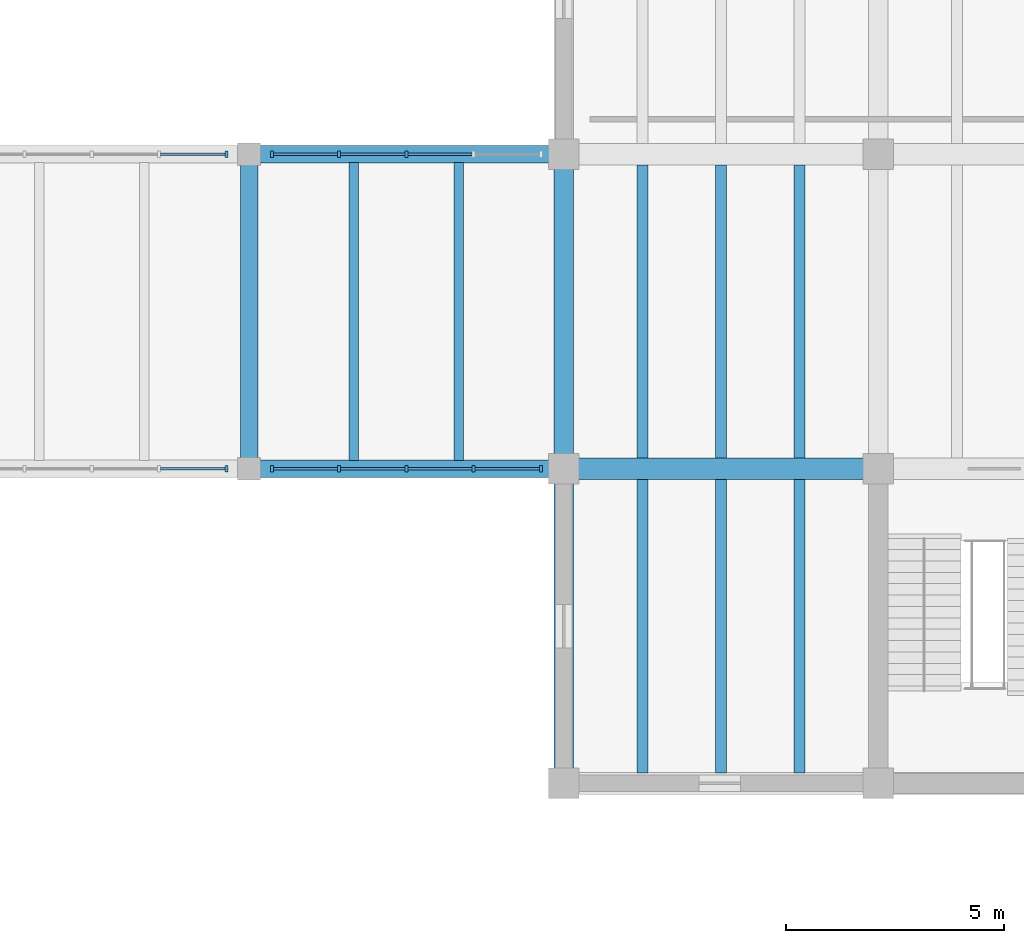
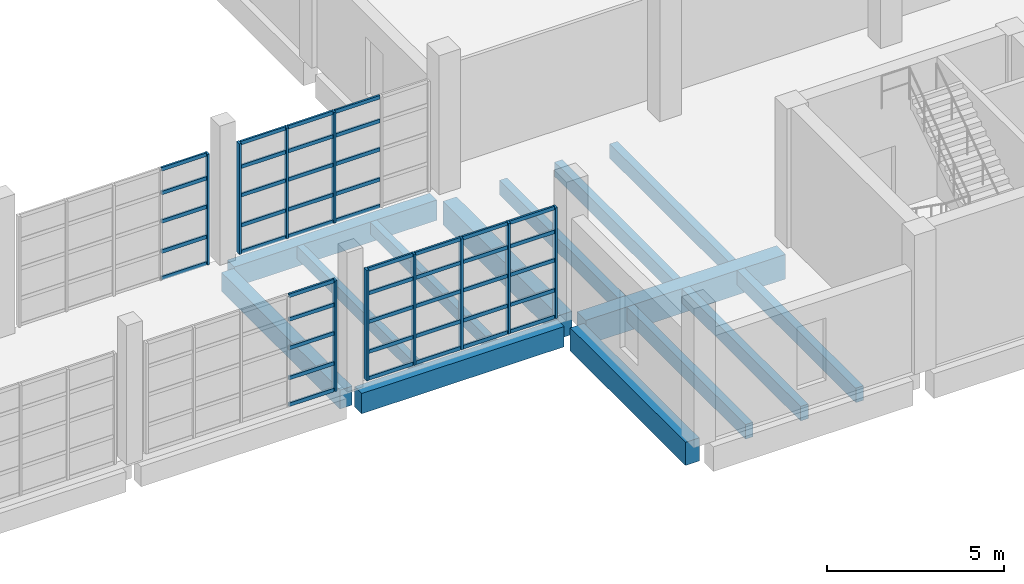
# One storey, part 42 of 77: 55 members, 14 beams, 4 elements without a shape of their own.
"""IFC4 building model written with IfcOpenShell, lengths in metres."""

from ifc_helpers import new_model, si_unit, direction, frame, origin, origin_2d, place, context, subcontext, project, spatial, rectangle, extrude, material, material_profile, profile_set, type_object, element, aggregate, save


model = new_model("IFC4")

# Units and contexts
model_context = context("Model", 3, precision=1e-05, world=origin(), true_north=direction((0.0, 1.0)))
body_context = subcontext(model_context, "Body", "Model", "MODEL_VIEW")
ifc_project = project(units=[si_unit("LENGTHUNIT", "METRE"), si_unit("AREAUNIT", "SQUARE_METRE"), si_unit("VOLUMEUNIT", "CUBIC_METRE"), si_unit("PLANEANGLEUNIT", "RADIAN"), si_unit("MASSUNIT", "GRAM", prefix="KILO")], contexts=[model_context])

# Site, building, storey
site_placement = place(None, origin())
site = spatial("IfcSite", under=ifc_project, at=site_placement, CompositionType="ELEMENT")
building_placement = place(site_placement, origin())
building = spatial("IfcBuilding", under=site, at=building_placement, Name="Qiaolan Assembly House", CompositionType="ELEMENT")
storey_placement = place(building_placement, frame((0.0, 0.0, 5.39990234375)))
storey = spatial("IfcBuildingStorey", under=building, at=storey_placement, Name="L01", CompositionType="ELEMENT", Elevation=5.39990234375)

# Beams
ifc_material_1 = material(Name="Concrete C40/50", Category="concrete")
ifc_material_profile_1 = material_profile(ifc_material_1, rectangle(XDim=0.39990234375, YDim=0.64990234375, at=origin_2d()), Name="RCB 400x650")
ifc_profile_set_1 = profile_set([ifc_material_profile_1], Name="Concrete C40/50")
beam_type_1 = type_object("IfcBeamType", Name="BM-RC-400x650", PredefinedType="BEAM", material=ifc_profile_set_1)
beam_1_placement = place(storey_placement, frame((129.60009765625, 36.25, -0.594970703125), z_axis=(0.0, 1.0, 0.0), x_axis=(-1.0, 0.0, 0.0)))
element("IfcBeam", 1, at=beam_1_placement, inside=storey, type_object=beam_type_1, Name="GB-06 beam BMY-CLS-L01-03-00", PredefinedType="BEAM", context=body_context, shape_type="SweptSolid", body=[
    extrude(rectangle(XDim=0.39990234375, YDim=0.64990234375, at=origin_2d()), origin(), (0.0, 0.0, 1.0), 6.699951171875),
])
ifc_material_profile_2 = material_profile(ifc_material_1, rectangle(XDim=0.39990234375, YDim=0.699951171875, at=origin_2d()), Name="RCB 400x700")
ifc_profile_set_2 = profile_set([ifc_material_profile_2], Name="Concrete C40/50")
beam_type_2 = type_object("IfcBeamType", Name="BM-RC-400x700", PredefinedType="BEAM", material=ifc_profile_set_2)
for number, where, z_axis, x_axis, name in (
    (2, (129.85009765625, 36.0, -0.619873046875), (1.0, 0.0, 0.0), (0.0, 1.0, 0.0), "GB-05 beam BMX-CLS-L01-03-00"),
    (3, (129.85009765625, 43.199951171875, -0.619873046875), (1.0, 0.0, 0.0), (0.0, 1.0, 0.0), "GB-05 beam BMX-CLS-L01-03-01"),
):
    element("IfcBeam", number, at=place(storey_placement, frame(where, z_axis=z_axis, x_axis=x_axis)), inside=storey, type_object=beam_type_2, Name=name, PredefinedType="BEAM", context=body_context, shape_type="SweptSolid", body=[
        extrude(rectangle(XDim=0.39990234375, YDim=0.699951171875, at=origin_2d()), origin(), (0.0, 0.0, 1.0), 6.60986328125),
    ])
ifc_material_profile_3 = material_profile(ifc_material_1, rectangle(XDim=0.449951171875, YDim=0.800048828125, at=origin_2d()), Name="RCB 450x800")
ifc_profile_set_3 = profile_set([ifc_material_profile_3], Name="Concrete C40/50")
beam_type_3 = type_object("IfcBeamType", Name="BM-RC-450x800", PredefinedType="BEAM", material=ifc_profile_set_3)
for number, where, z_axis, x_axis, name in (
    (4, (136.800048828125, 29.139892578125, -0.669921875), (0.0, 1.0, 0.0), (-1.0, 0.0, 0.0), "GB-03 beam BMY-LB-L01-00-00"),
    (5, (136.800048828125, 36.340087890625, -0.669921875), (0.0, 1.0, 0.0), (-1.0, 0.0, 0.0), "GB-03 beam BMY-LB-L01-00-01"),
):
    element("IfcBeam", number, at=place(storey_placement, frame(where, z_axis=z_axis, x_axis=x_axis)), inside=storey, type_object=beam_type_3, Name=name, PredefinedType="BEAM", context=body_context, shape_type="SweptSolid", body=[
        extrude(rectangle(XDim=0.449951171875, YDim=0.800048828125, at=origin_2d()), origin(), (0.0, 0.0, 1.0), 6.52001953125),
    ])
ifc_material_2 = material(Name="Concrete C45/55", Category="concrete")
ifc_material_profile_4 = material_profile(ifc_material_2, rectangle(XDim=0.5, YDim=0.85009765625, at=origin_2d()), Name="RCB 500x850")
ifc_profile_set_4 = profile_set([ifc_material_profile_4], Name="Concrete C45/55")
beam_type_4 = type_object("IfcBeamType", Name="BM-RC-500x850", PredefinedType="BEAM", material=ifc_profile_set_4)
beam_2_placement = place(storey_placement, frame((137.139892578125, 36.0, -0.69482421875), z_axis=(1.0, 0.0, 0.0), x_axis=(0.0, 1.0, 0.0)))
element("IfcBeam", 6, at=beam_2_placement, inside=storey, type_object=beam_type_4, Name="GB-02 beam BMX-LB-L01-00-01", PredefinedType="BEAM", context=body_context, shape_type="SweptSolid", body=[
    extrude(rectangle(XDim=0.5, YDim=0.85009765625, at=origin_2d()), origin(), (0.0, 0.0, 1.0), 6.52001953125),
])

# Curtain wall, member
ifc_material_3 = material(Name="Anodised bronze aluminium", Category="aluminium")
curtain_wall_type = type_object("IfcCurtainWallType", Name="CW-CLOISTER-420", PredefinedType="NOTDEFINED", material=ifc_material_3)
curtain_wall_1_placement = place(storey_placement, origin())
curtain_wall_1 = element("IfcCurtainWall", 7, at=curtain_wall_1_placement, inside=storey, type_object=curtain_wall_type, Name="CW-05 South Cloister outer arcade L01-3", PredefinedType="NOTDEFINED")
ifc_material_profile_5 = material_profile(ifc_material_3, rectangle(XDim=0.070068359375, YDim=0.155029296875, at=origin_2d()), Name="MUL 70x155")
ifc_profile_set_5 = profile_set([ifc_material_profile_5], Name="Anodised bronze aluminium")
member_type_1 = type_object("IfcMemberType", Name="CW-CLOISTER-420-MUL", PredefinedType="MULLION", material=ifc_profile_set_5)
member_1_placement = place(storey_placement, frame((129.080078125, 36.0, 0.0), z_axis=(0.0, 0.0, 1.0), x_axis=(1.0, 0.0, 0.0)))
member_1 = element("IfcMember", 8, at=member_1_placement, type_object=member_type_1, Name="ML-06 mullion CW-CLS-OUT-L01-2-5", PredefinedType="MULLION", context=body_context, shape_type="SweptSolid", body=[
    extrude(rectangle(XDim=0.070068359375, YDim=0.155029296875, at=origin_2d()), origin(), (0.0, 0.0, 1.0), 3.820068359375),
])

curtain_wall_2_placement = place(storey_placement, origin())
curtain_wall_2 = element("IfcCurtainWall", 9, at=curtain_wall_2_placement, inside=storey, type_object=curtain_wall_type, Name="CW-05 South Cloister court arcade L01-3", PredefinedType="NOTDEFINED")
member_2_placement = place(storey_placement, frame((129.080078125, 43.199951171875, 0.0), z_axis=(0.0, 0.0, 1.0), x_axis=(-1.0, 0.0, 0.0)))
member_2 = element("IfcMember", 10, at=member_2_placement, type_object=member_type_1, Name="ML-06 mullion CW-CLS-CRT-L01-2-1", PredefinedType="MULLION", context=body_context, shape_type="SweptSolid", body=[
    extrude(rectangle(XDim=0.070068359375, YDim=0.155029296875, at=origin_2d()), origin(), (0.0, 0.0, 1.0), 3.820068359375),
])

# Curtain wall, members
curtain_wall_3_placement = place(storey_placement, origin())
curtain_wall_3 = element("IfcCurtainWall", 11, at=curtain_wall_3_placement, inside=storey, type_object=curtain_wall_type, Name="CW-05 South Cloister outer arcade L01-4", PredefinedType="NOTDEFINED")
member_3_placement = place(storey_placement, frame((130.1201171875, 36.0, 0.0), z_axis=(0.0, 0.0, 1.0), x_axis=(1.0, 0.0, 0.0)))
member_3 = element("IfcMember", 12, at=member_3_placement, type_object=member_type_1, Name="ML-06 mullion CW-CLS-OUT-L01-3-1", PredefinedType="MULLION", context=body_context, shape_type="SweptSolid", body=[
    extrude(rectangle(XDim=0.070068359375, YDim=0.155029296875, at=origin_2d()), origin(), (0.0, 0.0, 1.0), 3.820068359375),
])
member_4_placement = place(storey_placement, frame((131.659912109375, 36.0, 0.0), z_axis=(0.0, 0.0, 1.0), x_axis=(1.0, 0.0, 0.0)))
member_4 = element("IfcMember", 13, at=member_4_placement, type_object=member_type_1, Name="ML-06 mullion CW-CLS-OUT-L01-3-2", PredefinedType="MULLION", context=body_context, shape_type="SweptSolid", body=[
    extrude(rectangle(XDim=0.070068359375, YDim=0.155029296875, at=origin_2d()), origin(), (0.0, 0.0, 1.0), 3.820068359375),
])
member_5_placement = place(storey_placement, frame((133.199951171875, 36.0, 0.0), z_axis=(0.0, 0.0, 1.0), x_axis=(1.0, 0.0, 0.0)))
member_5 = element("IfcMember", 14, at=member_5_placement, type_object=member_type_1, Name="ML-06 mullion CW-CLS-OUT-L01-3-3", PredefinedType="MULLION", context=body_context, shape_type="SweptSolid", body=[
    extrude(rectangle(XDim=0.070068359375, YDim=0.155029296875, at=origin_2d()), origin(), (0.0, 0.0, 1.0), 3.820068359375),
])
member_6_placement = place(storey_placement, frame((134.739990234375, 36.0, 0.0), z_axis=(0.0, 0.0, 1.0), x_axis=(1.0, 0.0, 0.0)))
member_6 = element("IfcMember", 15, at=member_6_placement, type_object=member_type_1, Name="ML-06 mullion CW-CLS-OUT-L01-3-4", PredefinedType="MULLION", context=body_context, shape_type="SweptSolid", body=[
    extrude(rectangle(XDim=0.070068359375, YDim=0.155029296875, at=origin_2d()), origin(), (0.0, 0.0, 1.0), 3.820068359375),
])
member_7_placement = place(storey_placement, frame((136.280029296875, 36.0, 0.0), z_axis=(0.0, 0.0, 1.0), x_axis=(1.0, 0.0, 0.0)))
member_7 = element("IfcMember", 16, at=member_7_placement, type_object=member_type_1, Name="ML-06 mullion CW-CLS-OUT-L01-3-5", PredefinedType="MULLION", context=body_context, shape_type="SweptSolid", body=[
    extrude(rectangle(XDim=0.070068359375, YDim=0.155029296875, at=origin_2d()), origin(), (0.0, 0.0, 1.0), 3.820068359375),
])

curtain_wall_4_placement = place(storey_placement, origin())
curtain_wall_4 = element("IfcCurtainWall", 17, at=curtain_wall_4_placement, inside=storey, type_object=curtain_wall_type, Name="CW-05 South Cloister court arcade L01-4", PredefinedType="NOTDEFINED")
member_8_placement = place(storey_placement, frame((133.199951171875, 43.199951171875, 0.0), z_axis=(0.0, 0.0, 1.0), x_axis=(-1.0, 0.0, 0.0)))
member_8 = element("IfcMember", 18, at=member_8_placement, type_object=member_type_1, Name="ML-06 mullion CW-CLS-CRT-L01-3-3", PredefinedType="MULLION", context=body_context, shape_type="SweptSolid", body=[
    extrude(rectangle(XDim=0.070068359375, YDim=0.155029296875, at=origin_2d()), origin(), (0.0, 0.0, 1.0), 3.820068359375),
])
member_9_placement = place(storey_placement, frame((131.659912109375, 43.199951171875, 0.0), z_axis=(0.0, 0.0, 1.0), x_axis=(-1.0, 0.0, 0.0)))
member_9 = element("IfcMember", 19, at=member_9_placement, type_object=member_type_1, Name="ML-06 mullion CW-CLS-CRT-L01-3-4", PredefinedType="MULLION", context=body_context, shape_type="SweptSolid", body=[
    extrude(rectangle(XDim=0.070068359375, YDim=0.155029296875, at=origin_2d()), origin(), (0.0, 0.0, 1.0), 3.820068359375),
])
member_10_placement = place(storey_placement, frame((130.1201171875, 43.199951171875, 0.0), z_axis=(0.0, 0.0, 1.0), x_axis=(-1.0, 0.0, 0.0)))
member_10 = element("IfcMember", 20, at=member_10_placement, type_object=member_type_1, Name="ML-06 mullion CW-CLS-CRT-L01-3-5", PredefinedType="MULLION", context=body_context, shape_type="SweptSolid", body=[
    extrude(rectangle(XDim=0.070068359375, YDim=0.155029296875, at=origin_2d()), origin(), (0.0, 0.0, 1.0), 3.820068359375),
])

# Member
ifc_material_profile_6 = material_profile(ifc_material_3, rectangle(XDim=0.06201171875, YDim=0.125, at=origin_2d()), Name="TRN 62x125")
ifc_profile_set_6 = profile_set([ifc_material_profile_6], Name="Anodised bronze aluminium")
member_type_2 = type_object("IfcMemberType", Name="CW-CLOISTER-420-TRN", PredefinedType="USERDEFINED", material=ifc_profile_set_6)
member_11_placement = place(storey_placement, frame((127.574951171875, 36.0, 0.030029296875), z_axis=(1.0, 0.0, 0.0), x_axis=(0.0, 1.0, 0.0)))
member_11 = element("IfcMember", 21, at=member_11_placement, type_object=member_type_2, Name="TR-06 transom CW-CLS-OUT-L01-2-4-1", ObjectType="TRANSOM", PredefinedType="USERDEFINED", context=body_context, shape_type="SweptSolid", body=[
    extrude(rectangle(XDim=0.06201171875, YDim=0.125, at=origin_2d()), origin(), (0.0, 0.0, 1.0), 1.469970703125),
])

member_12_placement = place(storey_placement, frame((127.574951171875, 36.0, 0.9501953125), z_axis=(1.0, 0.0, 0.0), x_axis=(0.0, 1.0, 0.0)))
member_12 = element("IfcMember", 22, at=member_12_placement, type_object=member_type_2, Name="TR-06 transom CW-CLS-OUT-L01-2-4-2", ObjectType="TRANSOM", PredefinedType="USERDEFINED", context=body_context, shape_type="SweptSolid", body=[
    extrude(rectangle(XDim=0.06201171875, YDim=0.125, at=origin_2d()), origin(), (0.0, 0.0, 1.0), 1.469970703125),
])

member_13_placement = place(storey_placement, frame((127.574951171875, 36.0, 1.986572265625), z_axis=(1.0, 0.0, 0.0), x_axis=(0.0, 1.0, 0.0)))
member_13 = element("IfcMember", 23, at=member_13_placement, type_object=member_type_2, Name="TR-06 transom CW-CLS-OUT-L01-2-4-3", ObjectType="TRANSOM", PredefinedType="USERDEFINED", context=body_context, shape_type="SweptSolid", body=[
    extrude(rectangle(XDim=0.06201171875, YDim=0.125, at=origin_2d()), origin(), (0.0, 0.0, 1.0), 1.469970703125),
])

member_14_placement = place(storey_placement, frame((127.574951171875, 36.0, 2.97021484375), z_axis=(1.0, 0.0, 0.0), x_axis=(0.0, 1.0, 0.0)))
member_14 = element("IfcMember", 24, at=member_14_placement, type_object=member_type_2, Name="TR-06 transom CW-CLS-OUT-L01-2-4-4", ObjectType="TRANSOM", PredefinedType="USERDEFINED", context=body_context, shape_type="SweptSolid", body=[
    extrude(rectangle(XDim=0.06201171875, YDim=0.125, at=origin_2d()), origin(), (0.0, 0.0, 1.0), 1.469970703125),
])

member_15_placement = place(storey_placement, frame((127.574951171875, 36.0, 3.7900390625), z_axis=(1.0, 0.0, 0.0), x_axis=(0.0, 1.0, 0.0)))
member_15 = element("IfcMember", 25, at=member_15_placement, type_object=member_type_2, Name="TR-06 transom CW-CLS-OUT-L01-2-4-5", ObjectType="TRANSOM", PredefinedType="USERDEFINED", context=body_context, shape_type="SweptSolid", body=[
    extrude(rectangle(XDim=0.06201171875, YDim=0.125, at=origin_2d()), origin(), (0.0, 0.0, 1.0), 1.469970703125),
])

aggregate(curtain_wall_1, [member_1, member_11, member_12, member_13, member_14, member_15])

member_16_placement = place(storey_placement, frame((129.044921875, 43.199951171875, 0.030029296875), z_axis=(-1.0, 0.0, 0.0), x_axis=(0.0, -1.0, 0.0)))
member_16 = element("IfcMember", 26, at=member_16_placement, type_object=member_type_2, Name="TR-06 transom CW-CLS-CRT-L01-2-1-1", ObjectType="TRANSOM", PredefinedType="USERDEFINED", context=body_context, shape_type="SweptSolid", body=[
    extrude(rectangle(XDim=0.06201171875, YDim=0.125, at=origin_2d()), origin(), (0.0, 0.0, 1.0), 1.469970703125),
])

member_17_placement = place(storey_placement, frame((129.044921875, 43.199951171875, 0.9501953125), z_axis=(-1.0, 0.0, 0.0), x_axis=(0.0, -1.0, 0.0)))
member_17 = element("IfcMember", 27, at=member_17_placement, type_object=member_type_2, Name="TR-06 transom CW-CLS-CRT-L01-2-1-2", ObjectType="TRANSOM", PredefinedType="USERDEFINED", context=body_context, shape_type="SweptSolid", body=[
    extrude(rectangle(XDim=0.06201171875, YDim=0.125, at=origin_2d()), origin(), (0.0, 0.0, 1.0), 1.469970703125),
])

member_18_placement = place(storey_placement, frame((129.044921875, 43.199951171875, 1.986572265625), z_axis=(-1.0, 0.0, 0.0), x_axis=(0.0, -1.0, 0.0)))
member_18 = element("IfcMember", 28, at=member_18_placement, type_object=member_type_2, Name="TR-06 transom CW-CLS-CRT-L01-2-1-3", ObjectType="TRANSOM", PredefinedType="USERDEFINED", context=body_context, shape_type="SweptSolid", body=[
    extrude(rectangle(XDim=0.06201171875, YDim=0.125, at=origin_2d()), origin(), (0.0, 0.0, 1.0), 1.469970703125),
])

member_19_placement = place(storey_placement, frame((129.044921875, 43.199951171875, 2.97021484375), z_axis=(-1.0, 0.0, 0.0), x_axis=(0.0, -1.0, 0.0)))
member_19 = element("IfcMember", 29, at=member_19_placement, type_object=member_type_2, Name="TR-06 transom CW-CLS-CRT-L01-2-1-4", ObjectType="TRANSOM", PredefinedType="USERDEFINED", context=body_context, shape_type="SweptSolid", body=[
    extrude(rectangle(XDim=0.06201171875, YDim=0.125, at=origin_2d()), origin(), (0.0, 0.0, 1.0), 1.469970703125),
])

member_20_placement = place(storey_placement, frame((129.044921875, 43.199951171875, 3.7900390625), z_axis=(-1.0, 0.0, 0.0), x_axis=(0.0, -1.0, 0.0)))
member_20 = element("IfcMember", 30, at=member_20_placement, type_object=member_type_2, Name="TR-06 transom CW-CLS-CRT-L01-2-1-5", ObjectType="TRANSOM", PredefinedType="USERDEFINED", context=body_context, shape_type="SweptSolid", body=[
    extrude(rectangle(XDim=0.06201171875, YDim=0.125, at=origin_2d()), origin(), (0.0, 0.0, 1.0), 1.469970703125),
])

aggregate(curtain_wall_2, [member_2, member_16, member_17, member_18, member_19, member_20])

member_21_placement = place(storey_placement, frame((130.155029296875, 36.0, 0.030029296875), z_axis=(1.0, 0.0, 0.0), x_axis=(0.0, 1.0, 0.0)))
member_21 = element("IfcMember", 31, at=member_21_placement, type_object=member_type_2, Name="TR-06 transom CW-CLS-OUT-L01-3-1-1", ObjectType="TRANSOM", PredefinedType="USERDEFINED", context=body_context, shape_type="SweptSolid", body=[
    extrude(rectangle(XDim=0.06201171875, YDim=0.125, at=origin_2d()), origin(), (0.0, 0.0, 1.0), 1.469970703125),
])

member_22_placement = place(storey_placement, frame((130.155029296875, 36.0, 0.9501953125), z_axis=(1.0, 0.0, 0.0), x_axis=(0.0, 1.0, 0.0)))
member_22 = element("IfcMember", 32, at=member_22_placement, type_object=member_type_2, Name="TR-06 transom CW-CLS-OUT-L01-3-1-2", ObjectType="TRANSOM", PredefinedType="USERDEFINED", context=body_context, shape_type="SweptSolid", body=[
    extrude(rectangle(XDim=0.06201171875, YDim=0.125, at=origin_2d()), origin(), (0.0, 0.0, 1.0), 1.469970703125),
])

member_23_placement = place(storey_placement, frame((130.155029296875, 36.0, 1.986572265625), z_axis=(1.0, 0.0, 0.0), x_axis=(0.0, 1.0, 0.0)))
member_23 = element("IfcMember", 33, at=member_23_placement, type_object=member_type_2, Name="TR-06 transom CW-CLS-OUT-L01-3-1-3", ObjectType="TRANSOM", PredefinedType="USERDEFINED", context=body_context, shape_type="SweptSolid", body=[
    extrude(rectangle(XDim=0.06201171875, YDim=0.125, at=origin_2d()), origin(), (0.0, 0.0, 1.0), 1.469970703125),
])

member_24_placement = place(storey_placement, frame((130.155029296875, 36.0, 2.97021484375), z_axis=(1.0, 0.0, 0.0), x_axis=(0.0, 1.0, 0.0)))
member_24 = element("IfcMember", 34, at=member_24_placement, type_object=member_type_2, Name="TR-06 transom CW-CLS-OUT-L01-3-1-4", ObjectType="TRANSOM", PredefinedType="USERDEFINED", context=body_context, shape_type="SweptSolid", body=[
    extrude(rectangle(XDim=0.06201171875, YDim=0.125, at=origin_2d()), origin(), (0.0, 0.0, 1.0), 1.469970703125),
])

member_25_placement = place(storey_placement, frame((130.155029296875, 36.0, 3.7900390625), z_axis=(1.0, 0.0, 0.0), x_axis=(0.0, 1.0, 0.0)))
member_25 = element("IfcMember", 35, at=member_25_placement, type_object=member_type_2, Name="TR-06 transom CW-CLS-OUT-L01-3-1-5", ObjectType="TRANSOM", PredefinedType="USERDEFINED", context=body_context, shape_type="SweptSolid", body=[
    extrude(rectangle(XDim=0.06201171875, YDim=0.125, at=origin_2d()), origin(), (0.0, 0.0, 1.0), 1.469970703125),
])

member_26_placement = place(storey_placement, frame((131.695068359375, 36.0, 0.030029296875), z_axis=(1.0, 0.0, 0.0), x_axis=(0.0, 1.0, 0.0)))
member_26 = element("IfcMember", 36, at=member_26_placement, type_object=member_type_2, Name="TR-06 transom CW-CLS-OUT-L01-3-2-1", ObjectType="TRANSOM", PredefinedType="USERDEFINED", context=body_context, shape_type="SweptSolid", body=[
    extrude(rectangle(XDim=0.06201171875, YDim=0.125, at=origin_2d()), origin(), (0.0, 0.0, 1.0), 1.469970703125),
])

member_27_placement = place(storey_placement, frame((131.695068359375, 36.0, 0.9501953125), z_axis=(1.0, 0.0, 0.0), x_axis=(0.0, 1.0, 0.0)))
member_27 = element("IfcMember", 37, at=member_27_placement, type_object=member_type_2, Name="TR-06 transom CW-CLS-OUT-L01-3-2-2", ObjectType="TRANSOM", PredefinedType="USERDEFINED", context=body_context, shape_type="SweptSolid", body=[
    extrude(rectangle(XDim=0.06201171875, YDim=0.125, at=origin_2d()), origin(), (0.0, 0.0, 1.0), 1.469970703125),
])

member_28_placement = place(storey_placement, frame((131.695068359375, 36.0, 1.986572265625), z_axis=(1.0, 0.0, 0.0), x_axis=(0.0, 1.0, 0.0)))
member_28 = element("IfcMember", 38, at=member_28_placement, type_object=member_type_2, Name="TR-06 transom CW-CLS-OUT-L01-3-2-3", ObjectType="TRANSOM", PredefinedType="USERDEFINED", context=body_context, shape_type="SweptSolid", body=[
    extrude(rectangle(XDim=0.06201171875, YDim=0.125, at=origin_2d()), origin(), (0.0, 0.0, 1.0), 1.469970703125),
])

member_29_placement = place(storey_placement, frame((131.695068359375, 36.0, 2.97021484375), z_axis=(1.0, 0.0, 0.0), x_axis=(0.0, 1.0, 0.0)))
member_29 = element("IfcMember", 39, at=member_29_placement, type_object=member_type_2, Name="TR-06 transom CW-CLS-OUT-L01-3-2-4", ObjectType="TRANSOM", PredefinedType="USERDEFINED", context=body_context, shape_type="SweptSolid", body=[
    extrude(rectangle(XDim=0.06201171875, YDim=0.125, at=origin_2d()), origin(), (0.0, 0.0, 1.0), 1.469970703125),
])

member_30_placement = place(storey_placement, frame((131.695068359375, 36.0, 3.7900390625), z_axis=(1.0, 0.0, 0.0), x_axis=(0.0, 1.0, 0.0)))
member_30 = element("IfcMember", 40, at=member_30_placement, type_object=member_type_2, Name="TR-06 transom CW-CLS-OUT-L01-3-2-5", ObjectType="TRANSOM", PredefinedType="USERDEFINED", context=body_context, shape_type="SweptSolid", body=[
    extrude(rectangle(XDim=0.06201171875, YDim=0.125, at=origin_2d()), origin(), (0.0, 0.0, 1.0), 1.469970703125),
])

member_31_placement = place(storey_placement, frame((133.235107421875, 36.0, 0.030029296875), z_axis=(1.0, 0.0, 0.0), x_axis=(0.0, 1.0, 0.0)))
member_31 = element("IfcMember", 41, at=member_31_placement, type_object=member_type_2, Name="TR-06 transom CW-CLS-OUT-L01-3-3-1", ObjectType="TRANSOM", PredefinedType="USERDEFINED", context=body_context, shape_type="SweptSolid", body=[
    extrude(rectangle(XDim=0.06201171875, YDim=0.125, at=origin_2d()), origin(), (0.0, 0.0, 1.0), 1.469970703125),
])

member_32_placement = place(storey_placement, frame((133.235107421875, 36.0, 0.9501953125), z_axis=(1.0, 0.0, 0.0), x_axis=(0.0, 1.0, 0.0)))
member_32 = element("IfcMember", 42, at=member_32_placement, type_object=member_type_2, Name="TR-06 transom CW-CLS-OUT-L01-3-3-2", ObjectType="TRANSOM", PredefinedType="USERDEFINED", context=body_context, shape_type="SweptSolid", body=[
    extrude(rectangle(XDim=0.06201171875, YDim=0.125, at=origin_2d()), origin(), (0.0, 0.0, 1.0), 1.469970703125),
])

member_33_placement = place(storey_placement, frame((133.235107421875, 36.0, 1.986572265625), z_axis=(1.0, 0.0, 0.0), x_axis=(0.0, 1.0, 0.0)))
member_33 = element("IfcMember", 43, at=member_33_placement, type_object=member_type_2, Name="TR-06 transom CW-CLS-OUT-L01-3-3-3", ObjectType="TRANSOM", PredefinedType="USERDEFINED", context=body_context, shape_type="SweptSolid", body=[
    extrude(rectangle(XDim=0.06201171875, YDim=0.125, at=origin_2d()), origin(), (0.0, 0.0, 1.0), 1.469970703125),
])

member_34_placement = place(storey_placement, frame((133.235107421875, 36.0, 2.97021484375), z_axis=(1.0, 0.0, 0.0), x_axis=(0.0, 1.0, 0.0)))
member_34 = element("IfcMember", 44, at=member_34_placement, type_object=member_type_2, Name="TR-06 transom CW-CLS-OUT-L01-3-3-4", ObjectType="TRANSOM", PredefinedType="USERDEFINED", context=body_context, shape_type="SweptSolid", body=[
    extrude(rectangle(XDim=0.06201171875, YDim=0.125, at=origin_2d()), origin(), (0.0, 0.0, 1.0), 1.469970703125),
])

member_35_placement = place(storey_placement, frame((133.235107421875, 36.0, 3.7900390625), z_axis=(1.0, 0.0, 0.0), x_axis=(0.0, 1.0, 0.0)))
member_35 = element("IfcMember", 45, at=member_35_placement, type_object=member_type_2, Name="TR-06 transom CW-CLS-OUT-L01-3-3-5", ObjectType="TRANSOM", PredefinedType="USERDEFINED", context=body_context, shape_type="SweptSolid", body=[
    extrude(rectangle(XDim=0.06201171875, YDim=0.125, at=origin_2d()), origin(), (0.0, 0.0, 1.0), 1.469970703125),
])

member_36_placement = place(storey_placement, frame((134.77490234375, 36.0, 0.030029296875), z_axis=(1.0, 0.0, 0.0), x_axis=(0.0, 1.0, 0.0)))
member_36 = element("IfcMember", 46, at=member_36_placement, type_object=member_type_2, Name="TR-06 transom CW-CLS-OUT-L01-3-4-1", ObjectType="TRANSOM", PredefinedType="USERDEFINED", context=body_context, shape_type="SweptSolid", body=[
    extrude(rectangle(XDim=0.06201171875, YDim=0.125, at=origin_2d()), origin(), (0.0, 0.0, 1.0), 1.47021484375),
])

member_37_placement = place(storey_placement, frame((134.77490234375, 36.0, 0.9501953125), z_axis=(1.0, 0.0, 0.0), x_axis=(0.0, 1.0, 0.0)))
member_37 = element("IfcMember", 47, at=member_37_placement, type_object=member_type_2, Name="TR-06 transom CW-CLS-OUT-L01-3-4-2", ObjectType="TRANSOM", PredefinedType="USERDEFINED", context=body_context, shape_type="SweptSolid", body=[
    extrude(rectangle(XDim=0.06201171875, YDim=0.125, at=origin_2d()), origin(), (0.0, 0.0, 1.0), 1.47021484375),
])

member_38_placement = place(storey_placement, frame((134.77490234375, 36.0, 1.986572265625), z_axis=(1.0, 0.0, 0.0), x_axis=(0.0, 1.0, 0.0)))
member_38 = element("IfcMember", 48, at=member_38_placement, type_object=member_type_2, Name="TR-06 transom CW-CLS-OUT-L01-3-4-3", ObjectType="TRANSOM", PredefinedType="USERDEFINED", context=body_context, shape_type="SweptSolid", body=[
    extrude(rectangle(XDim=0.06201171875, YDim=0.125, at=origin_2d()), origin(), (0.0, 0.0, 1.0), 1.47021484375),
])

member_39_placement = place(storey_placement, frame((134.77490234375, 36.0, 2.97021484375), z_axis=(1.0, 0.0, 0.0), x_axis=(0.0, 1.0, 0.0)))
member_39 = element("IfcMember", 49, at=member_39_placement, type_object=member_type_2, Name="TR-06 transom CW-CLS-OUT-L01-3-4-4", ObjectType="TRANSOM", PredefinedType="USERDEFINED", context=body_context, shape_type="SweptSolid", body=[
    extrude(rectangle(XDim=0.06201171875, YDim=0.125, at=origin_2d()), origin(), (0.0, 0.0, 1.0), 1.47021484375),
])

member_40_placement = place(storey_placement, frame((134.77490234375, 36.0, 3.7900390625), z_axis=(1.0, 0.0, 0.0), x_axis=(0.0, 1.0, 0.0)))
member_40 = element("IfcMember", 50, at=member_40_placement, type_object=member_type_2, Name="TR-06 transom CW-CLS-OUT-L01-3-4-5", ObjectType="TRANSOM", PredefinedType="USERDEFINED", context=body_context, shape_type="SweptSolid", body=[
    extrude(rectangle(XDim=0.06201171875, YDim=0.125, at=origin_2d()), origin(), (0.0, 0.0, 1.0), 1.47021484375),
])

aggregate(curtain_wall_3, [member_3, member_4, member_5, member_6, member_7, member_21, member_22, member_23, member_24, member_25, member_26, member_27, member_28, member_29, member_30, member_31, member_32, member_33, member_34, member_35, member_36, member_37, member_38, member_39, member_40])

member_41_placement = place(storey_placement, frame((134.705078125, 43.199951171875, 0.030029296875), z_axis=(-1.0, 0.0, 0.0), x_axis=(0.0, -1.0, 0.0)))
member_41 = element("IfcMember", 51, at=member_41_placement, type_object=member_type_2, Name="TR-06 transom CW-CLS-CRT-L01-3-2-1", ObjectType="TRANSOM", PredefinedType="USERDEFINED", context=body_context, shape_type="SweptSolid", body=[
    extrude(rectangle(XDim=0.06201171875, YDim=0.125, at=origin_2d()), origin(), (0.0, 0.0, 1.0), 1.469970703125),
])

member_42_placement = place(storey_placement, frame((134.705078125, 43.199951171875, 0.9501953125), z_axis=(-1.0, 0.0, 0.0), x_axis=(0.0, -1.0, 0.0)))
member_42 = element("IfcMember", 52, at=member_42_placement, type_object=member_type_2, Name="TR-06 transom CW-CLS-CRT-L01-3-2-2", ObjectType="TRANSOM", PredefinedType="USERDEFINED", context=body_context, shape_type="SweptSolid", body=[
    extrude(rectangle(XDim=0.06201171875, YDim=0.125, at=origin_2d()), origin(), (0.0, 0.0, 1.0), 1.469970703125),
])

member_43_placement = place(storey_placement, frame((134.705078125, 43.199951171875, 1.986572265625), z_axis=(-1.0, 0.0, 0.0), x_axis=(0.0, -1.0, 0.0)))
member_43 = element("IfcMember", 53, at=member_43_placement, type_object=member_type_2, Name="TR-06 transom CW-CLS-CRT-L01-3-2-3", ObjectType="TRANSOM", PredefinedType="USERDEFINED", context=body_context, shape_type="SweptSolid", body=[
    extrude(rectangle(XDim=0.06201171875, YDim=0.125, at=origin_2d()), origin(), (0.0, 0.0, 1.0), 1.469970703125),
])

member_44_placement = place(storey_placement, frame((134.705078125, 43.199951171875, 2.97021484375), z_axis=(-1.0, 0.0, 0.0), x_axis=(0.0, -1.0, 0.0)))
member_44 = element("IfcMember", 54, at=member_44_placement, type_object=member_type_2, Name="TR-06 transom CW-CLS-CRT-L01-3-2-4", ObjectType="TRANSOM", PredefinedType="USERDEFINED", context=body_context, shape_type="SweptSolid", body=[
    extrude(rectangle(XDim=0.06201171875, YDim=0.125, at=origin_2d()), origin(), (0.0, 0.0, 1.0), 1.469970703125),
])

member_45_placement = place(storey_placement, frame((134.705078125, 43.199951171875, 3.7900390625), z_axis=(-1.0, 0.0, 0.0), x_axis=(0.0, -1.0, 0.0)))
member_45 = element("IfcMember", 55, at=member_45_placement, type_object=member_type_2, Name="TR-06 transom CW-CLS-CRT-L01-3-2-5", ObjectType="TRANSOM", PredefinedType="USERDEFINED", context=body_context, shape_type="SweptSolid", body=[
    extrude(rectangle(XDim=0.06201171875, YDim=0.125, at=origin_2d()), origin(), (0.0, 0.0, 1.0), 1.469970703125),
])

member_46_placement = place(storey_placement, frame((133.1650390625, 43.199951171875, 0.030029296875), z_axis=(-1.0, 0.0, 0.0), x_axis=(0.0, -1.0, 0.0)))
member_46 = element("IfcMember", 56, at=member_46_placement, type_object=member_type_2, Name="TR-06 transom CW-CLS-CRT-L01-3-3-1", ObjectType="TRANSOM", PredefinedType="USERDEFINED", context=body_context, shape_type="SweptSolid", body=[
    extrude(rectangle(XDim=0.06201171875, YDim=0.125, at=origin_2d()), origin(), (0.0, 0.0, 1.0), 1.469970703125),
])

member_47_placement = place(storey_placement, frame((133.1650390625, 43.199951171875, 0.9501953125), z_axis=(-1.0, 0.0, 0.0), x_axis=(0.0, -1.0, 0.0)))
member_47 = element("IfcMember", 57, at=member_47_placement, type_object=member_type_2, Name="TR-06 transom CW-CLS-CRT-L01-3-3-2", ObjectType="TRANSOM", PredefinedType="USERDEFINED", context=body_context, shape_type="SweptSolid", body=[
    extrude(rectangle(XDim=0.06201171875, YDim=0.125, at=origin_2d()), origin(), (0.0, 0.0, 1.0), 1.469970703125),
])

member_48_placement = place(storey_placement, frame((133.1650390625, 43.199951171875, 1.986572265625), z_axis=(-1.0, 0.0, 0.0), x_axis=(0.0, -1.0, 0.0)))
member_48 = element("IfcMember", 58, at=member_48_placement, type_object=member_type_2, Name="TR-06 transom CW-CLS-CRT-L01-3-3-3", ObjectType="TRANSOM", PredefinedType="USERDEFINED", context=body_context, shape_type="SweptSolid", body=[
    extrude(rectangle(XDim=0.06201171875, YDim=0.125, at=origin_2d()), origin(), (0.0, 0.0, 1.0), 1.469970703125),
])

member_49_placement = place(storey_placement, frame((133.1650390625, 43.199951171875, 2.97021484375), z_axis=(-1.0, 0.0, 0.0), x_axis=(0.0, -1.0, 0.0)))
member_49 = element("IfcMember", 59, at=member_49_placement, type_object=member_type_2, Name="TR-06 transom CW-CLS-CRT-L01-3-3-4", ObjectType="TRANSOM", PredefinedType="USERDEFINED", context=body_context, shape_type="SweptSolid", body=[
    extrude(rectangle(XDim=0.06201171875, YDim=0.125, at=origin_2d()), origin(), (0.0, 0.0, 1.0), 1.469970703125),
])

member_50_placement = place(storey_placement, frame((133.1650390625, 43.199951171875, 3.7900390625), z_axis=(-1.0, 0.0, 0.0), x_axis=(0.0, -1.0, 0.0)))
member_50 = element("IfcMember", 60, at=member_50_placement, type_object=member_type_2, Name="TR-06 transom CW-CLS-CRT-L01-3-3-5", ObjectType="TRANSOM", PredefinedType="USERDEFINED", context=body_context, shape_type="SweptSolid", body=[
    extrude(rectangle(XDim=0.06201171875, YDim=0.125, at=origin_2d()), origin(), (0.0, 0.0, 1.0), 1.469970703125),
])

member_51_placement = place(storey_placement, frame((131.625, 43.199951171875, 0.030029296875), z_axis=(-1.0, 0.0, 0.0), x_axis=(0.0, -1.0, 0.0)))
member_51 = element("IfcMember", 61, at=member_51_placement, type_object=member_type_2, Name="TR-06 transom CW-CLS-CRT-L01-3-4-1", ObjectType="TRANSOM", PredefinedType="USERDEFINED", context=body_context, shape_type="SweptSolid", body=[
    extrude(rectangle(XDim=0.06201171875, YDim=0.125, at=origin_2d()), origin(), (0.0, 0.0, 1.0), 1.469970703125),
])

member_52_placement = place(storey_placement, frame((131.625, 43.199951171875, 0.9501953125), z_axis=(-1.0, 0.0, 0.0), x_axis=(0.0, -1.0, 0.0)))
member_52 = element("IfcMember", 62, at=member_52_placement, type_object=member_type_2, Name="TR-06 transom CW-CLS-CRT-L01-3-4-2", ObjectType="TRANSOM", PredefinedType="USERDEFINED", context=body_context, shape_type="SweptSolid", body=[
    extrude(rectangle(XDim=0.06201171875, YDim=0.125, at=origin_2d()), origin(), (0.0, 0.0, 1.0), 1.469970703125),
])

member_53_placement = place(storey_placement, frame((131.625, 43.199951171875, 1.986572265625), z_axis=(-1.0, 0.0, 0.0), x_axis=(0.0, -1.0, 0.0)))
member_53 = element("IfcMember", 63, at=member_53_placement, type_object=member_type_2, Name="TR-06 transom CW-CLS-CRT-L01-3-4-3", ObjectType="TRANSOM", PredefinedType="USERDEFINED", context=body_context, shape_type="SweptSolid", body=[
    extrude(rectangle(XDim=0.06201171875, YDim=0.125, at=origin_2d()), origin(), (0.0, 0.0, 1.0), 1.469970703125),
])

member_54_placement = place(storey_placement, frame((131.625, 43.199951171875, 2.97021484375), z_axis=(-1.0, 0.0, 0.0), x_axis=(0.0, -1.0, 0.0)))
member_54 = element("IfcMember", 64, at=member_54_placement, type_object=member_type_2, Name="TR-06 transom CW-CLS-CRT-L01-3-4-4", ObjectType="TRANSOM", PredefinedType="USERDEFINED", context=body_context, shape_type="SweptSolid", body=[
    extrude(rectangle(XDim=0.06201171875, YDim=0.125, at=origin_2d()), origin(), (0.0, 0.0, 1.0), 1.469970703125),
])

member_55_placement = place(storey_placement, frame((131.625, 43.199951171875, 3.7900390625), z_axis=(-1.0, 0.0, 0.0), x_axis=(0.0, -1.0, 0.0)))
member_55 = element("IfcMember", 65, at=member_55_placement, type_object=member_type_2, Name="TR-06 transom CW-CLS-CRT-L01-3-4-5", ObjectType="TRANSOM", PredefinedType="USERDEFINED", context=body_context, shape_type="SweptSolid", body=[
    extrude(rectangle(XDim=0.06201171875, YDim=0.125, at=origin_2d()), origin(), (0.0, 0.0, 1.0), 1.469970703125),
])

aggregate(curtain_wall_4, [member_8, member_9, member_10, member_41, member_42, member_43, member_44, member_45, member_46, member_47, member_48, member_49, member_50, member_51, member_52, member_53, member_54, member_55])

# Beams
ifc_material_profile_7 = material_profile(ifc_material_1, rectangle(XDim=0.219970703125, YDim=0.419921875, at=origin_2d()), Name="RCB 220x420")
ifc_profile_set_7 = profile_set([ifc_material_profile_7], Name="Concrete C40/50")
beam_type_5 = type_object("IfcBeamType", Name="JST-RC-220x420", PredefinedType="JOIST", material=ifc_profile_set_7)
for number, where, z_axis, x_axis, name in (
    (66, (132.0, 36.194091796875, -0.47998046875), (0.0, 1.0, 0.0), (-1.0, 0.0, 0.0), "RJ-03 beam JST-CLS-L01-03-00-1"),
    (67, (134.39990234375, 36.194091796875, -0.47998046875), (0.0, 1.0, 0.0), (-1.0, 0.0, 0.0), "RJ-03 beam JST-CLS-L01-03-00-2"),
):
    element("IfcBeam", number, at=place(storey_placement, frame(where, z_axis=z_axis, x_axis=x_axis)), inside=storey, type_object=beam_type_5, Name=name, PredefinedType="JOIST", context=body_context, shape_type="SweptSolid", body=[
        extrude(rectangle(XDim=0.219970703125, YDim=0.419921875, at=origin_2d()), origin(), (0.0, 0.0, 1.0), 6.81201171875),
    ])
ifc_material_profile_8 = material_profile(ifc_material_1, rectangle(XDim=0.25, YDim=0.5, at=origin_2d()), Name="RCB 250x500")
ifc_profile_set_8 = profile_set([ifc_material_profile_8], Name="Concrete C40/50")
beam_type_6 = type_object("IfcBeamType", Name="JST-RC-250x500", PredefinedType="JOIST", material=ifc_profile_set_8)
for number, where, z_axis, x_axis, name in (
    (68, (138.60009765625, 29.0439453125, -0.52001953125), (0.0, 1.0, 0.0), (-1.0, 0.0, 0.0), "RJ-01 beam JST-LB-L01-00-00-1"),
    (69, (140.39990234375, 29.0439453125, -0.52001953125), (0.0, 1.0, 0.0), (-1.0, 0.0, 0.0), "RJ-01 beam JST-LB-L01-00-00-2"),
    (70, (142.199951171875, 29.0439453125, -0.52001953125), (0.0, 1.0, 0.0), (-1.0, 0.0, 0.0), "RJ-01 beam JST-LB-L01-00-00-3"),
    (71, (138.60009765625, 36.243896484375, -0.52001953125), (0.0, 1.0, 0.0), (-1.0, 0.0, 0.0), "RJ-01 beam JST-LB-L01-00-01-1"),
    (72, (140.39990234375, 36.243896484375, -0.52001953125), (0.0, 1.0, 0.0), (-1.0, 0.0, 0.0), "RJ-01 beam JST-LB-L01-00-01-2"),
    (73, (142.199951171875, 36.243896484375, -0.52001953125), (0.0, 1.0, 0.0), (-1.0, 0.0, 0.0), "RJ-01 beam JST-LB-L01-00-01-3"),
):
    element("IfcBeam", number, at=place(storey_placement, frame(where, z_axis=z_axis, x_axis=x_axis)), inside=storey, type_object=beam_type_6, Name=name, PredefinedType="JOIST", context=body_context, shape_type="SweptSolid", body=[
        extrude(rectangle(XDim=0.25, YDim=0.5, at=origin_2d()), origin(), (0.0, 0.0, 1.0), 6.712158203125),
    ])

save(model, "model.ifc")
